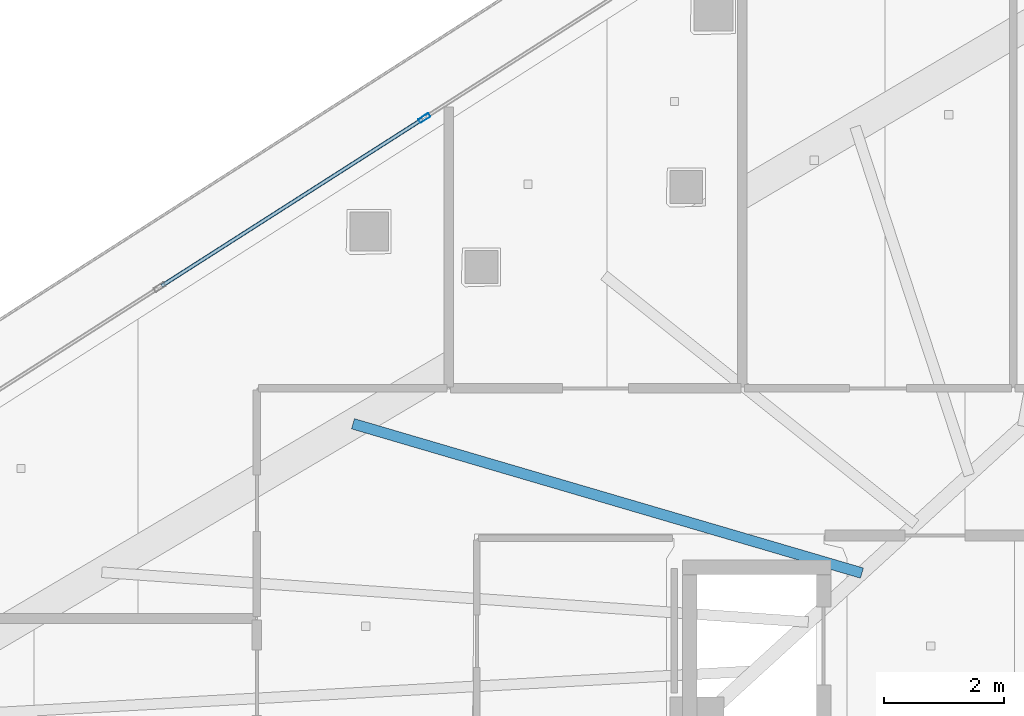
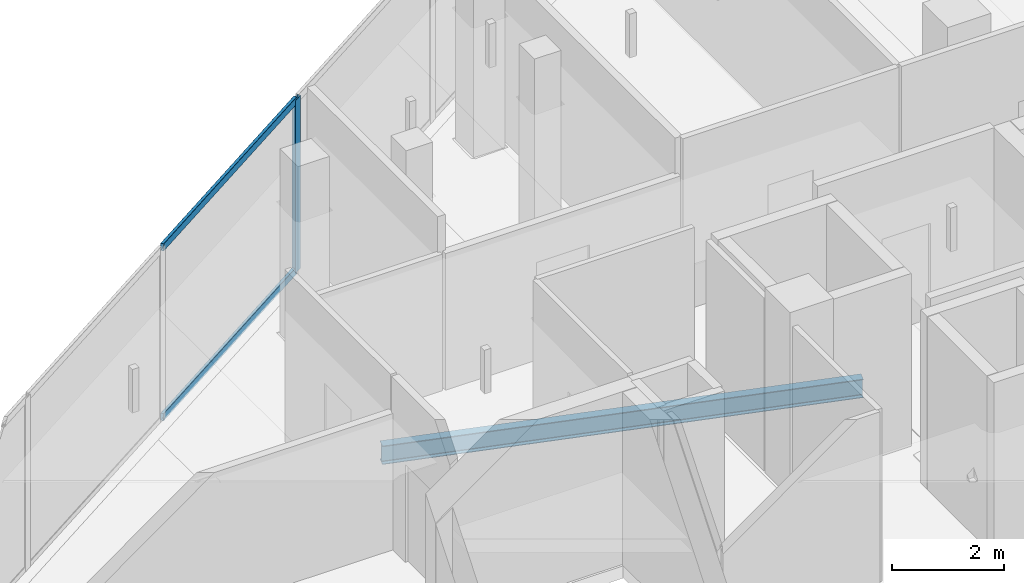
# One storey, part 17 of 36: 3 members, 1 beam, 1 element without a shape of its own.
"""IFC4 building model written with IfcOpenShell, lengths in metres."""

from ifc_helpers import new_model, si_unit, direction, frame, origin, origin_2d, place, context, subcontext, project, spatial, hollow_rectangle, i_section, extrude, material, layer, layer_set, material_profile, profile_set, type_object, element, aggregate, save


model = new_model("IFC4")

# Units and contexts
model_context = context("Model", 3, precision=1e-05, world=origin(), true_north=direction((0.0, 1.0)))
body_context = subcontext(model_context, "Body", "Model", "MODEL_VIEW")
ifc_project = project(units=[si_unit("LENGTHUNIT", "METRE"), si_unit("AREAUNIT", "SQUARE_METRE"), si_unit("VOLUMEUNIT", "CUBIC_METRE"), si_unit("PLANEANGLEUNIT", "RADIAN"), si_unit("MASSUNIT", "GRAM", prefix="KILO")], contexts=[model_context])

# Site, building, storey
site_placement = place(None, origin())
site = spatial("IfcSite", under=ifc_project, at=site_placement, CompositionType="ELEMENT")
building_placement = place(site_placement, origin())
building = spatial("IfcBuilding", under=site, at=building_placement, Name="Qorvath Tower", CompositionType="ELEMENT")
storey_placement = place(building_placement, frame((0.0, 0.0, 229.35009765625)))
storey = spatial("IfcBuildingStorey", under=building, at=storey_placement, Name="L53", CompositionType="ELEMENT", Elevation=229.35009765625)

# Beam
ifc_material_1 = material(Name="Steel ASTM A992 Grade 50", Category="steel")
ifc_material_profile_1 = material_profile(ifc_material_1, i_section(OverallWidth=0.177978515625, OverallDepth=0.406005859375, WebThickness=0.0078125, FlangeThickness=0.0126953125, FilletRadius=0.010986328125, at=origin_2d()), Name="W16x40")
ifc_profile_set_1 = profile_set([ifc_material_profile_1], Name="Steel ASTM A992 Grade 50")
beam_type = type_object("IfcBeamType", Name="BM-FJ3", PredefinedType="JOIST", material=ifc_profile_set_1)
beam_placement = place(storey_placement, frame((-27.739990234375, 7.669921875, -0.472900390625), z_axis=(-0.959544992264, 0.281555337049, 0.0), x_axis=(-0.281555337049, -0.959544992264, 0.0)))
element("IfcBeam", 1, at=beam_placement, inside=storey, type_object=beam_type, Name="Composite Floor Joist NW3 L53", PredefinedType="JOIST", context=body_context, shape_type="SweptSolid", body=[
    extrude(i_section(OverallWidth=0.177978515625, OverallDepth=0.406005859375, WebThickness=0.0078125, FlangeThickness=0.0126953125, FilletRadius=0.010986328125, at=origin_2d()), origin(), (0.0, 0.0, 1.0), 8.87060546875),
])

# Curtain wall, members
ifc_material_2 = material(Name="Anodised aluminium and triple low-E glass", Category="aluminium")
ifc_layer = layer(ifc_material_2, 0.179931640625)
ifc_layer_set = layer_set([ifc_layer], Name="CW-SYS-5")
curtain_wall_type = type_object("IfcCurtainWallType", Name="CW-SYS-5", PredefinedType="NOTDEFINED", material=ifc_layer_set)
curtain_wall_placement = place(storey_placement, origin())
curtain_wall = element("IfcCurtainWall", 2, at=curtain_wall_placement, inside=storey, type_object=curtain_wall_type, Name="Curtain Wall CW-5 CW-T-L53-18.1", PredefinedType="NOTDEFINED")
ifc_material_3 = material(Name="Anodised aluminium 6063-T6", Category="aluminium")
ifc_material_profile_2 = material_profile(ifc_material_3, hollow_rectangle(XDim=0.074951171875, YDim=0.199951171875, WallThickness=0.00390625, InnerFilletRadius=0.00390625, OuterFilletRadius=0.008056640625, at=origin_2d()), Name="CWM 200x75")
ifc_profile_set_2 = profile_set([ifc_material_profile_2], Name="Anodised aluminium 6063-T6")
member_type_1 = type_object("IfcMemberType", Name="CWM-200", PredefinedType="MULLION", material=ifc_profile_set_2)
member_1_placement = place(storey_placement, frame((-35.057373046875, 15.281982421875, 0.0), z_axis=(0.0, 0.0, 1.0), x_axis=(0.538531098636, -0.842605634803, 0.0)))
member_1 = element("IfcMember", 3, at=member_1_placement, type_object=member_type_1, Name="CW-5 mullion 5", PredefinedType="MULLION", context=body_context, shape_type="SweptSolid", body=[
    extrude(hollow_rectangle(XDim=0.074951171875, YDim=0.199951171875, WallThickness=0.00390625, InnerFilletRadius=0.00390625, OuterFilletRadius=0.008056640625, at=origin_2d()), origin(), (0.0, 0.0, 1.0), 3.77978515625),
])
ifc_material_4 = material(Name="Anodised aluminium 6063-T6", Category="aluminium")
ifc_material_profile_3 = material_profile(ifc_material_4, hollow_rectangle(XDim=0.06494140625, YDim=0.159912109375, WallThickness=0.00341796875, InnerFilletRadius=0.00341796875, OuterFilletRadius=0.007080078125, at=origin_2d()), Name="CWT 160x65")
ifc_profile_set_3 = profile_set([ifc_material_profile_3], Name="Anodised aluminium 6063-T6")
member_type_2 = type_object("IfcMemberType", Name="CWT-160", PredefinedType="USERDEFINED", material=ifc_profile_set_3)
member_2_placement = place(storey_placement, frame((-35.0888671875, 15.26171875, 0.032470703125), z_axis=(-0.842629113093, -0.538494361872, 0.0), x_axis=(0.538494361872, -0.842629113093, 0.0)))
member_2 = element("IfcMember", 4, at=member_2_placement, type_object=member_type_2, Name="CW-5 transom 5.1", ObjectType="TRANSOM", PredefinedType="USERDEFINED", context=body_context, shape_type="SweptSolid", body=[
    extrude(hollow_rectangle(XDim=0.06494140625, YDim=0.159912109375, WallThickness=0.00341796875, InnerFilletRadius=0.00341796875, OuterFilletRadius=0.007080078125, at=origin_2d()), origin(), (0.0, 0.0, 1.0), 5.178466796875),
])
member_3_placement = place(storey_placement, frame((-35.0888671875, 15.26171875, 3.747314453125), z_axis=(-0.842629113093, -0.538494361872, 0.0), x_axis=(0.538494361872, -0.842629113093, 0.0)))
member_3 = element("IfcMember", 5, at=member_3_placement, type_object=member_type_2, Name="CW-5 transom 5.2", ObjectType="TRANSOM", PredefinedType="USERDEFINED", context=body_context, shape_type="SweptSolid", body=[
    extrude(hollow_rectangle(XDim=0.06494140625, YDim=0.159912109375, WallThickness=0.00341796875, InnerFilletRadius=0.00341796875, OuterFilletRadius=0.007080078125, at=origin_2d()), origin(), (0.0, 0.0, 1.0), 5.178466796875),
])
aggregate(curtain_wall, [member_1, member_2, member_3])

save(model, "model.ifc")
